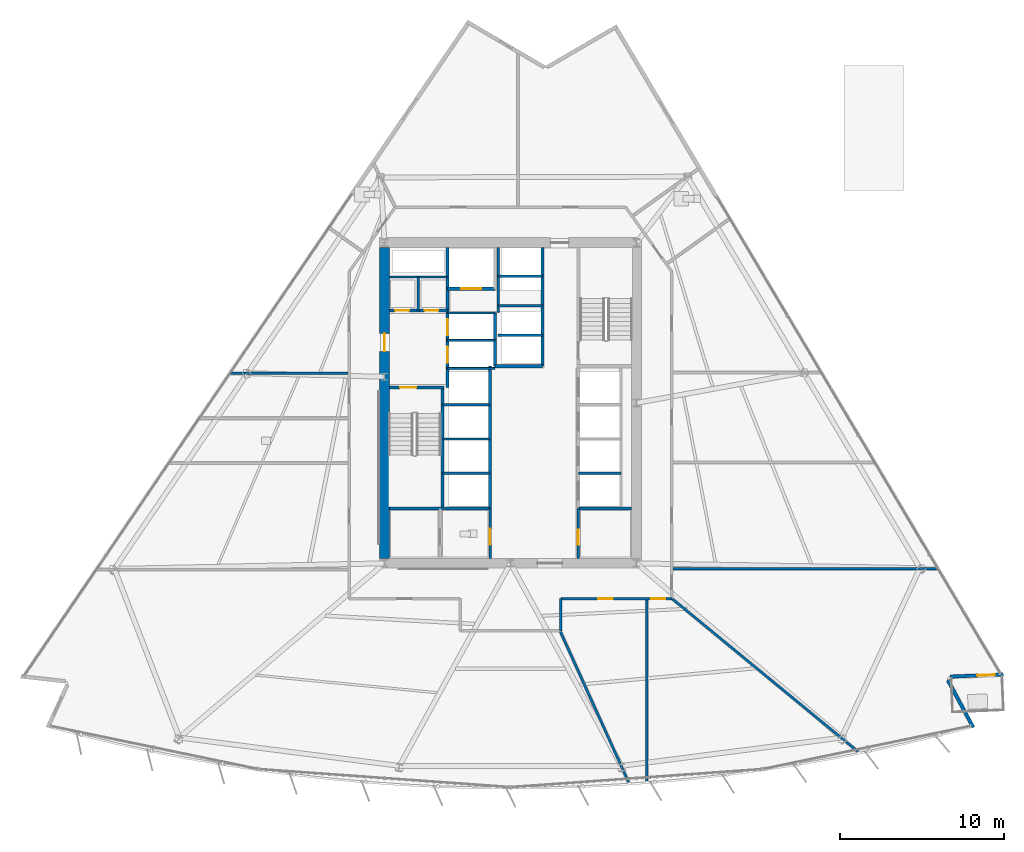
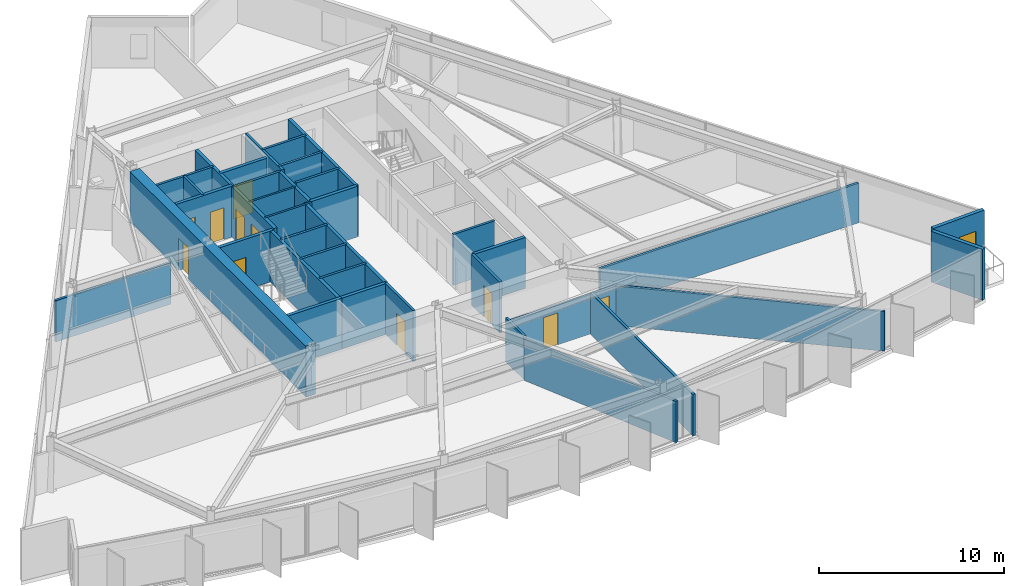
# One storey, part 9 of 16: 37 walls, 12 doors, 12 openings.
"""IFC4 building model written with IfcOpenShell, lengths in metres."""

from ifc_helpers import new_model, si_unit, direction, frame, frame_2d, origin, place, context, subcontext, project, spatial, rectangle, extrude, material, layer, layer_set, type_object, element, fill, save


model = new_model("IFC4")

# Units and contexts
model_context = context("Model", 3, precision=1e-05, world=origin(), true_north=direction((0.0, 1.0)))
body_context = subcontext(model_context, "Body", "Model", "MODEL_VIEW")
ifc_project = project(units=[si_unit("LENGTHUNIT", "METRE"), si_unit("AREAUNIT", "SQUARE_METRE"), si_unit("VOLUMEUNIT", "CUBIC_METRE"), si_unit("PLANEANGLEUNIT", "RADIAN"), si_unit("MASSUNIT", "GRAM", prefix="KILO")], contexts=[model_context])

# Site, building, storey
site_placement = place(None, origin())
site = spatial("IfcSite", under=ifc_project, at=site_placement, CompositionType="ELEMENT")
building_placement = place(site_placement, origin())
building = spatial("IfcBuilding", under=site, at=building_placement, Name="Savorim Split Tower", CompositionType="ELEMENT")
storey_placement = place(building_placement, frame((0.0, 0.0, 30.0)))
storey = spatial("IfcBuildingStorey", under=building, at=storey_placement, Name="L07", CompositionType="ELEMENT", Elevation=30.0)

# Wall, opening, door
ifc_material_1 = material(Name="Concrete C60/75", Category="concrete")
ifc_layer_1 = layer(ifc_material_1, 0.60009765625)
ifc_layer_set_1 = layer_set([ifc_layer_1], Name="WAL-COR-SH600")
wall_type_1 = type_object("IfcWallType", Name="WAL-COR-SH600", PredefinedType="SHEAR", material=ifc_layer_set_1)
wall_1_placement = place(storey_placement, frame((-7.699951171875, -9.10009765625, 0.0), z_axis=(0.0, 0.0, 1.0), x_axis=(0.0, 1.0, 0.0)))
wall_1 = element("IfcWall", 1, at=wall_1_placement, inside=storey, type_object=wall_type_1, Name="L07 Offset Core West Shear Wall", PredefinedType="SHEAR", context=body_context, shape_type="SweptSolid", body=[
    extrude(rectangle(XDim=19.0, YDim=0.60009765625, at=frame_2d((9.5, 0.0))), origin(), (0.0, 0.0, 1.0), 3.35009765625),
])
opening_1_placement = place(wall_1_placement, frame((12.64990234375, 0.0, 0.0)))
opening_1 = element("IfcOpeningElement", 2, at=opening_1_placement, cuts=wall_1, Name="Opening DI-03", PredefinedType="OPENING", context=body_context, shape_type="SweptSolid", body=[
    extrude(rectangle(XDim=1.10009765625, YDim=2.14990234375, at=frame_2d((0.550048828125, 1.074951171875))), frame((0.0, 0.31005859375, 0.0), z_axis=(0.0, -1.0, 0.0), x_axis=(1.0, 0.0, 0.0)), (0.0, 0.0, 1.0), 0.6201171875),
])
ifc_material_2 = material(Name="Timber Fire Door Leaf", Category="wood")
door_type_1 = type_object("IfcDoorType", Name="DOR-FIR-1100", OperationType="NOTDEFINED", PredefinedType="DOOR", material=ifc_material_2)
door_1_placement = place(opening_1_placement, origin())
door_1 = element("IfcDoor", 3, at=door_1_placement, inside=storey, type_object=door_type_1, Name="DOR-L07-COR-FFLOB - L07 Firefighting Lobby Corridor Door", OperationType="SINGLE_SWING_LEFT", OverallHeight=2.14990234375, OverallWidth=1.10009765625, PredefinedType="DOOR", context=body_context, shape_type="SweptSolid", body=[
    extrude(rectangle(XDim=1.10009765625, YDim=2.14990234375, at=frame_2d((0.550048828125, 1.074951171875))), frame((0.0, 0.02490234375, 0.0), z_axis=(0.0, -1.0, 0.0), x_axis=(1.0, 0.0, 0.0)), (0.0, 0.0, 1.0), 0.050048828125),
])
fill(opening_1, door_1)

# Wall
ifc_material_3 = material(Name="Precast concrete C40/50", Category="concrete")
ifc_layer_2 = layer(ifc_material_3, 0.219970703125)
ifc_layer_set_2 = layer_set([ifc_layer_2], Name="WAL-EXT-CRN220")
wall_type_2 = type_object("IfcWallType", Name="WAL-EXT-CRN220", PredefinedType="SOLIDWALL", material=ifc_layer_set_2)
wall_2_placement = place(storey_placement, frame((26.729248046875, -16.5400390625, 0.0), z_axis=(0.0, 0.0, 1.0), x_axis=(0.472830429959, -0.881153439819, 0.0)))
element("IfcWall", 4, at=wall_2_placement, inside=storey, type_object=wall_type_2, Name="L07 Notched Corner Facade Wall SE1", PredefinedType="SOLIDWALL", context=body_context, shape_type="SweptSolid", body=[
    extrude(rectangle(XDim=3.27001953125, YDim=0.219970703125, at=frame_2d((1.635009765625, 0.0))), origin(), (0.0, 0.0, 1.0), 3.35009765625),
])

# Wall, opening, door
wall_3_placement = place(storey_placement, frame((30.114990234375, -16.1875, 0.0), z_axis=(0.0, 0.0, 1.0), x_axis=(-0.999095638069, -0.042519477791, 0.0)))
wall_3 = element("IfcWall", 5, at=wall_3_placement, inside=storey, type_object=wall_type_2, Name="L07 Notched Corner Facade Wall SE", PredefinedType="SOLIDWALL", context=body_context, shape_type="SweptSolid", body=[
    extrude(rectangle(XDim=3.26708984375, YDim=0.219970703125, at=frame_2d((1.633544921875, 0.0))), origin(), (0.0, 0.0, 1.0), 3.35009765625),
])
opening_2_placement = place(wall_3_placement, frame((0.528564453125, 0.0, 0.0)))
opening_2 = element("IfcOpeningElement", 6, at=opening_2_placement, cuts=wall_3, Name="Opening DB-01", PredefinedType="OPENING", context=body_context, shape_type="SweptSolid", body=[
    extrude(rectangle(XDim=1.050048828125, YDim=2.14990234375, at=frame_2d((0.52490234375, 1.074951171875))), frame((0.0, 0.119873046875, 0.0), z_axis=(0.0, -1.0, 0.0), x_axis=(1.0, 0.0, 0.0)), (0.0, 0.0, 1.0), 0.239990234375),
])
ifc_material_4 = material(Name="Charcoal Anodised Aluminium", Category="aluminium")
door_type_2 = type_object("IfcDoorType", Name="DOR-BAL-1050", OperationType="NOTDEFINED", PredefinedType="DOOR", material=ifc_material_4)
door_2_placement = place(opening_2_placement, origin())
door_2 = element("IfcDoor", 7, at=door_2_placement, inside=storey, type_object=door_type_2, Name="DOR-L07-TBAL-SE - L07 Planted Tree Balcony Door SE", OperationType="SINGLE_SWING_RIGHT", OverallHeight=2.14990234375, OverallWidth=1.050048828125, PredefinedType="DOOR", context=body_context, shape_type="SweptSolid", body=[
    extrude(rectangle(XDim=1.050048828125, YDim=2.14990234375, at=frame_2d((0.52490234375, 1.074951171875))), frame((0.0, 0.02490234375, 0.0), z_axis=(0.0, -1.0, 0.0), x_axis=(1.0, 0.0, 0.0)), (0.0, 0.0, 1.0), 0.050048828125),
])
fill(opening_2, door_2)

ifc_material_5 = material(Name="Concrete C50/60", Category="concrete")
ifc_layer_3 = layer(ifc_material_5, 0.199951171875)
ifc_layer_set_3 = layer_set([ifc_layer_3], Name="WAL-INT-RC200")
wall_type_3 = type_object("IfcWallType", Name="WAL-INT-RC200", PredefinedType="SOLIDWALL", material=ifc_layer_set_3)
wall_4_placement = place(storey_placement, frame((-7.39990234375, 1.35009765625, 0.0), z_axis=(0.0, 0.0, 1.0), x_axis=(1.0, 0.0, 0.0)))
wall_4 = element("IfcWall", 8, at=wall_4_placement, inside=storey, type_object=wall_type_3, Name="L07 Structural Shaft Wall W-L07-CR01", PredefinedType="SOLIDWALL", context=body_context, shape_type="SweptSolid", body=[
    extrude(rectangle(XDim=3.349853515625, YDim=0.199951171875, at=frame_2d((1.6748046875, 0.0))), origin(), (0.0, 0.0, 1.0), 3.35009765625),
])
opening_3_placement = place(wall_4_placement, frame((0.64990234375, 0.0, 0.0)))
opening_3 = element("IfcOpeningElement", 9, at=opening_3_placement, cuts=wall_4, Name="Opening DI-04", PredefinedType="OPENING", context=body_context, shape_type="SweptSolid", body=[
    extrude(rectangle(XDim=1.0, YDim=2.14990234375, at=frame_2d((0.5, 1.074951171875))), frame((0.0, 0.10986328125, 0.0), z_axis=(0.0, -1.0, 0.0), x_axis=(1.0, 0.0, 0.0)), (0.0, 0.0, 1.0), 0.219970703125),
])
door_type_3 = type_object("IfcDoorType", Name="DOR-FIR-1000", OperationType="NOTDEFINED", PredefinedType="DOOR", material=ifc_material_2)
door_3_placement = place(opening_3_placement, origin())
door_3 = element("IfcDoor", 10, at=door_3_placement, inside=storey, type_object=door_type_3, Name="DR-L07-ST1 - L07 Stair ST-1 Enclosure Door", OperationType="SINGLE_SWING_LEFT", OverallHeight=2.14990234375, OverallWidth=1.0, PredefinedType="DOOR", context=body_context, shape_type="SweptSolid", body=[
    extrude(rectangle(XDim=1.0, YDim=2.14990234375, at=frame_2d((0.5, 1.074951171875))), frame((0.0, 0.02490234375, 0.0), z_axis=(0.0, -1.0, 0.0), x_axis=(1.0, 0.0, 0.0)), (0.0, 0.0, 1.0), 0.050048828125),
])
fill(opening_3, door_3)

# Wall
wall_5_placement = place(storey_placement, frame((-4.14990234375, -5.949951171875, 0.0), z_axis=(0.0, 0.0, 1.0), x_axis=(0.0, 1.0, 0.0)))
element("IfcWall", 11, at=wall_5_placement, inside=storey, type_object=wall_type_3, Name="L07 Structural Shaft Wall W-L07-CR02", PredefinedType="SOLIDWALL", context=body_context, shape_type="SweptSolid", body=[
    extrude(rectangle(XDim=7.199951171875, YDim=0.199951171875, at=frame_2d((3.60009765625, 0.0))), origin(), (0.0, 0.0, 1.0), 3.35009765625),
])

# Wall, openings, doors
wall_6_placement = place(storey_placement, frame((-3.85009765625, 1.35009765625, 0.0), z_axis=(0.0, 0.0, 1.0), x_axis=(0.0, 1.0, 0.0)))
wall_6 = element("IfcWall", 12, at=wall_6_placement, inside=storey, type_object=wall_type_3, Name="L07 Partition W-L07-CR03", PredefinedType="SOLIDWALL", context=body_context, shape_type="SweptSolid", body=[
    extrude(rectangle(XDim=8.544921875, YDim=0.199951171875, at=frame_2d((4.2724609375, 0.0))), origin(), (0.0, 0.0, 1.0), 3.35009765625),
])
opening_4_placement = place(wall_6_placement, frame((1.5, 0.0, 0.0)))
opening_4 = element("IfcOpeningElement", 13, at=opening_4_placement, cuts=wall_6, Name="Opening LD-FFL", PredefinedType="OPENING", context=body_context, shape_type="SweptSolid", body=[
    extrude(rectangle(XDim=1.0, YDim=2.14990234375, at=frame_2d((0.5, 1.074951171875))), frame((0.0, 0.10986328125, 0.0), z_axis=(0.0, -1.0, 0.0), x_axis=(1.0, 0.0, 0.0)), (0.0, 0.0, 1.0), 0.219970703125),
])
opening_5_placement = place(wall_6_placement, frame((3.179931640625, 0.0, 0.0)))
opening_5 = element("IfcOpeningElement", 14, at=opening_5_placement, cuts=wall_6, Name="Opening LD-FFL", PredefinedType="OPENING", context=body_context, shape_type="SweptSolid", body=[
    extrude(rectangle(XDim=1.0, YDim=2.14990234375, at=frame_2d((0.5, 1.074951171875))), frame((0.0, 0.10986328125, 0.0), z_axis=(0.0, -1.0, 0.0), x_axis=(1.0, 0.0, 0.0)), (0.0, 0.0, 1.0), 0.219970703125),
])
door_type_4 = type_object("IfcDoorType", Name="DOR-SLD-LD1000", OperationType="NOTDEFINED", PredefinedType="DOOR", material=ifc_material_4)
door_4_placement = place(opening_4_placement, origin())
door_4 = element("IfcDoor", 15, at=door_4_placement, inside=storey, type_object=door_type_4, Name="DR-L07-LD-FFL1 - L07 Firefighting Lift FFL-1 Sliding Landing Door", OperationType="DOUBLE_DOOR_SLIDING", OverallHeight=2.14990234375, OverallWidth=1.0, PredefinedType="DOOR", context=body_context, shape_type="SweptSolid", body=[
    extrude(rectangle(XDim=1.0, YDim=2.14990234375, at=frame_2d((0.5, 1.074951171875))), frame((0.0, 0.02490234375, 0.0), z_axis=(0.0, -1.0, 0.0), x_axis=(1.0, 0.0, 0.0)), (0.0, 0.0, 1.0), 0.050048828125),
])
fill(opening_4, door_4)
door_5_placement = place(opening_5_placement, origin())
door_5 = element("IfcDoor", 16, at=door_5_placement, inside=storey, type_object=door_type_4, Name="DR-L07-LD-FFL2 - L07 Firefighting Lift FFL-2 Sliding Landing Door", OperationType="DOUBLE_DOOR_SLIDING", OverallHeight=2.14990234375, OverallWidth=1.0, PredefinedType="DOOR", context=body_context, shape_type="SweptSolid", body=[
    extrude(rectangle(XDim=1.0, YDim=2.14990234375, at=frame_2d((0.5, 1.074951171875))), frame((0.0, 0.02490234375, 0.0), z_axis=(0.0, -1.0, 0.0), x_axis=(1.0, 0.0, 0.0)), (0.0, 0.0, 1.0), 0.050048828125),
])
fill(opening_5, door_5)

wall_7_placement = place(storey_placement, frame((-7.39501953125, 6.050048828125, 0.0), z_axis=(0.0, 0.0, 1.0), x_axis=(1.0, 0.0, 0.0)))
wall_7 = element("IfcWall", 17, at=wall_7_placement, inside=storey, type_object=wall_type_3, Name="L07 Partition W-L07-CR04", PredefinedType="SOLIDWALL", context=body_context, shape_type="SweptSolid", body=[
    extrude(rectangle(XDim=3.544921875, YDim=0.199951171875, at=frame_2d((1.7724609375, 0.0))), origin(), (0.0, 0.0, 1.0), 3.35009765625),
])
opening_6_placement = place(wall_7_placement, frame((0.344970703125, 0.0, 0.0)))
opening_6 = element("IfcOpeningElement", 18, at=opening_6_placement, cuts=wall_7, Name="Opening DI-12", PredefinedType="OPENING", context=body_context, shape_type="SweptSolid", body=[
    extrude(rectangle(XDim=0.85009765625, YDim=2.10009765625, at=frame_2d((0.425048828125, 1.050048828125))), frame((0.0, 0.10986328125, 0.0), z_axis=(0.0, -1.0, 0.0), x_axis=(1.0, 0.0, 0.0)), (0.0, 0.0, 1.0), 0.219970703125),
])
opening_7_placement = place(wall_7_placement, frame((2.14501953125, 0.0, 0.0)))
opening_7 = element("IfcOpeningElement", 19, at=opening_7_placement, cuts=wall_7, Name="Opening DI-12", PredefinedType="OPENING", context=body_context, shape_type="SweptSolid", body=[
    extrude(rectangle(XDim=0.85009765625, YDim=2.10009765625, at=frame_2d((0.425048828125, 1.050048828125))), frame((0.0, 0.10986328125, 0.0), z_axis=(0.0, -1.0, 0.0), x_axis=(1.0, 0.0, 0.0)), (0.0, 0.0, 1.0), 0.219970703125),
])
ifc_material_6 = material(Name="Galvanised Painted Steel Balustrade", Category="steel")
door_type_5 = type_object("IfcDoorType", Name="DOR-RIS-850", OperationType="NOTDEFINED", PredefinedType="DOOR", material=ifc_material_6)
door_6_placement = place(opening_6_placement, origin())
door_6 = element("IfcDoor", 20, at=door_6_placement, inside=storey, type_object=door_type_5, Name="DR-L07-ELR - L07 Electrical Riser Access Door", OperationType="SINGLE_SWING_RIGHT", OverallHeight=2.10009765625, OverallWidth=0.85009765625, PredefinedType="DOOR", context=body_context, shape_type="SweptSolid", body=[
    extrude(rectangle(XDim=0.85009765625, YDim=2.10009765625, at=frame_2d((0.425048828125, 1.050048828125))), frame((0.0, 0.02490234375, 0.0), z_axis=(0.0, -1.0, 0.0), x_axis=(1.0, 0.0, 0.0)), (0.0, 0.0, 1.0), 0.050048828125),
])
fill(opening_6, door_6)
door_7_placement = place(opening_7_placement, origin())
door_7 = element("IfcDoor", 21, at=door_7_placement, inside=storey, type_object=door_type_5, Name="DR-L07-TLR - L07 Telecom Riser Access Door", OperationType="SINGLE_SWING_LEFT", OverallHeight=2.10009765625, OverallWidth=0.85009765625, PredefinedType="DOOR", context=body_context, shape_type="SweptSolid", body=[
    extrude(rectangle(XDim=0.85009765625, YDim=2.10009765625, at=frame_2d((0.425048828125, 1.050048828125))), frame((0.0, 0.02490234375, 0.0), z_axis=(0.0, -1.0, 0.0), x_axis=(1.0, 0.0, 0.0)), (0.0, 0.0, 1.0), 0.050048828125),
])
fill(opening_7, door_7)

# Wall
wall_8_placement = place(storey_placement, frame((-0.949951171875, 2.64990234375, 0.0), z_axis=(0.0, 0.0, 1.0), x_axis=(0.0, 1.0, 0.0)))
element("IfcWall", 22, at=wall_8_placement, inside=storey, type_object=wall_type_3, Name="L07 Partition W-L07-FFLW", PredefinedType="SOLIDWALL", context=body_context, shape_type="SweptSolid", body=[
    extrude(rectangle(XDim=3.27001953125, YDim=0.199951171875, at=frame_2d((1.635009765625, 0.0))), origin(), (0.0, 0.0, 1.0), 3.35009765625),
])

# Wall, opening, door
wall_9_placement = place(storey_placement, frame((-3.85009765625, 7.3798828125, 0.0), z_axis=(0.0, 0.0, 1.0), x_axis=(1.0, 0.0, 0.0)))
wall_9 = element("IfcWall", 23, at=wall_9_placement, inside=storey, type_object=wall_type_3, Name="L07 Partition W-L07-SVLS", PredefinedType="SOLIDWALL", context=body_context, shape_type="SweptSolid", body=[
    extrude(rectangle(XDim=2.900146484375, YDim=0.199951171875, at=frame_2d((1.4501953125, 0.0))), origin(), (0.0, 0.0, 1.0), 3.35009765625),
])
opening_8_placement = place(wall_9_placement, frame((0.85009765625, 0.0, 0.0)))
opening_8 = element("IfcOpeningElement", 24, at=opening_8_placement, cuts=wall_9, Name="Opening LD-SV", PredefinedType="OPENING", context=body_context, shape_type="SweptSolid", body=[
    extrude(rectangle(XDim=1.199951171875, YDim=2.199951171875, at=frame_2d((0.60009765625, 1.10009765625))), frame((0.0, 0.10986328125, 0.0), z_axis=(0.0, -1.0, 0.0), x_axis=(1.0, 0.0, 0.0)), (0.0, 0.0, 1.0), 0.219970703125),
])
door_type_6 = type_object("IfcDoorType", Name="DOR-SLD-SV1200", OperationType="NOTDEFINED", PredefinedType="DOOR", material=ifc_material_4)
door_8_placement = place(opening_8_placement, origin())
door_8 = element("IfcDoor", 25, at=door_8_placement, inside=storey, type_object=door_type_6, Name="DR-L07-LD-SVL1 - L07 Service Lift SVL-1 Sliding Landing Door", OperationType="DOUBLE_DOOR_SLIDING", OverallHeight=2.199951171875, OverallWidth=1.199951171875, PredefinedType="DOOR", context=body_context, shape_type="SweptSolid", body=[
    extrude(rectangle(XDim=1.199951171875, YDim=2.199951171875, at=frame_2d((0.60009765625, 1.10009765625))), frame((0.0, 0.02490234375, 0.0), z_axis=(0.0, -1.0, 0.0), x_axis=(1.0, 0.0, 0.0)), (0.0, 0.0, 1.0), 0.050048828125),
])
fill(opening_8, door_8)

# Walls
wall_10_placement = place(storey_placement, frame((-1.25, -6.050048828125, 0.0), z_axis=(0.0, 0.0, 1.0), x_axis=(0.0, 1.0, 0.0)))
element("IfcWall", 26, at=wall_10_placement, inside=storey, type_object=wall_type_3, Name="L07 Partition W-L07-B2FRONT", PredefinedType="SOLIDWALL", context=body_context, shape_type="SweptSolid", body=[
    extrude(rectangle(XDim=8.699951171875, YDim=0.199951171875, at=frame_2d((4.35009765625, 0.0))), origin(), (0.0, 0.0, 1.0), 3.35009765625),
])
wall_11_placement = place(storey_placement, frame((1.949951171875, 2.64990234375, 0.0), z_axis=(0.0, 0.0, 1.0), x_axis=(0.0, 1.0, 0.0)))
element("IfcWall", 27, at=wall_11_placement, inside=storey, type_object=wall_type_3, Name="L07 Partition W-L07-B3FRONT", PredefinedType="SOLIDWALL", context=body_context, shape_type="SweptSolid", body=[
    extrude(rectangle(XDim=7.2451171875, YDim=0.199951171875, at=frame_2d((3.62255859375, 0.0))), origin(), (0.0, 0.0, 1.0), 3.35009765625),
])
wall_12_placement = place(storey_placement, frame((-0.949951171875, 2.64990234375, 0.0), z_axis=(0.0, 0.0, 1.0), x_axis=(1.0, 0.0, 0.0)))
element("IfcWall", 28, at=wall_12_placement, inside=storey, type_object=wall_type_3, Name="L07 Partition W-L07-B3SOUTH", PredefinedType="SOLIDWALL", context=body_context, shape_type="SweptSolid", body=[
    extrude(rectangle(XDim=2.89990234375, YDim=0.199951171875, at=frame_2d((1.449951171875, 0.0))), origin(), (0.0, 0.0, 1.0), 3.35009765625),
])
wall_13_placement = place(storey_placement, frame((-7.39990234375, -6.050048828125, 0.0), z_axis=(0.0, 0.0, 1.0), x_axis=(1.0, 0.0, 0.0)))
element("IfcWall", 29, at=wall_13_placement, inside=storey, type_object=wall_type_3, Name="L07 Structural Shaft Wall W-L07-KSEP-W", PredefinedType="SOLIDWALL", context=body_context, shape_type="SweptSolid", body=[
    extrude(rectangle(XDim=3.349853515625, YDim=0.199951171875, at=frame_2d((1.6748046875, 0.0))), origin(), (0.0, 0.0, 1.0), 3.35009765625),
])
wall_14_placement = place(storey_placement, frame((-4.0400390625, -6.050048828125, 0.0), z_axis=(0.0, 0.0, 1.0), x_axis=(1.0, 0.0, 0.0)))
element("IfcWall", 30, at=wall_14_placement, inside=storey, type_object=wall_type_3, Name="L07 Partition W-L07-KSEP-W2", PredefinedType="SOLIDWALL", context=body_context, shape_type="SweptSolid", body=[
    extrude(rectangle(XDim=2.7900390625, YDim=0.199951171875, at=frame_2d((1.39501953125, 0.0))), origin(), (0.0, 0.0, 1.0), 3.35009765625),
])
wall_15_placement = place(storey_placement, frame((4.14990234375, -6.050048828125, 0.0), z_axis=(0.0, 0.0, 1.0), x_axis=(1.0, 0.0, 0.0)))
element("IfcWall", 31, at=wall_15_placement, inside=storey, type_object=wall_type_3, Name="L07 Partition W-L07-KSEP-E", PredefinedType="SOLIDWALL", context=body_context, shape_type="SweptSolid", body=[
    extrude(rectangle(XDim=3.2451171875, YDim=0.199951171875, at=frame_2d((1.62255859375, 0.0))), origin(), (0.0, 0.0, 1.0), 3.35009765625),
])
ifc_material_7 = material(Name="Acoustic Gypsum Partition Board")
ifc_layer_4 = layer(ifc_material_7, 0.1201171875)
ifc_layer_set_4 = layer_set([ifc_layer_4], Name="WAL-PAR-120")
wall_type_4 = type_object("IfcWallType", Name="WAL-PAR-120", PredefinedType="PARTITIONING", material=ifc_layer_set_4)
for number, where, z_axis, x_axis, name in (
    (32, (-3.85009765625, 2.52001953125, 0.0), (0.0, 0.0, 1.0), (1.0, 0.0, 0.0), "L07 Partition W-L07-FFLD0"),
    (33, (-3.85009765625, 4.219970703125, 0.0), (0.0, 0.0, 1.0), (1.0, 0.0, 0.0), "L07 Partition W-L07-FFLD1"),
):
    element("IfcWall", number, at=place(storey_placement, frame(where, z_axis=z_axis, x_axis=x_axis)), inside=storey, type_object=wall_type_4, Name=name, PredefinedType="PARTITIONING", context=body_context, shape_type="SweptSolid", body=[
        extrude(rectangle(XDim=2.900146484375, YDim=0.1201171875, at=frame_2d((1.4501953125, 0.0))), origin(), (0.0, 0.0, 1.0), 3.35009765625),
    ])
ifc_layer_5 = layer(ifc_material_7, 0.14990234375)
ifc_layer_set_5 = layer_set([ifc_layer_5], Name="WAL-PAR-150")
wall_type_5 = type_object("IfcWallType", Name="WAL-PAR-150", PredefinedType="PARTITIONING", material=ifc_layer_set_5)
wall_16_placement = place(storey_placement, frame((-7.39501953125, 8.10009765625, 0.0), z_axis=(0.0, 0.0, 1.0), x_axis=(1.0, 0.0, 0.0)))
element("IfcWall", 34, at=wall_16_placement, inside=storey, type_object=wall_type_5, Name="L07 Partition W-L07-CR05", PredefinedType="PARTITIONING", context=body_context, shape_type="SweptSolid", body=[
    extrude(rectangle(XDim=3.544921875, YDim=0.14990234375, at=frame_2d((1.7724609375, 0.0))), origin(), (0.0, 0.0, 1.0), 3.35009765625),
])
wall_17_placement = place(storey_placement, frame((-5.64990234375, 6.050048828125, 0.0), z_axis=(0.0, 0.0, 1.0), x_axis=(0.0, 1.0, 0.0)))
element("IfcWall", 35, at=wall_17_placement, inside=storey, type_object=wall_type_5, Name="L07 Partition W-L07-CR06", PredefinedType="PARTITIONING", context=body_context, shape_type="SweptSolid", body=[
    extrude(rectangle(XDim=2.050048828125, YDim=0.14990234375, at=frame_2d((1.02490234375, 0.0))), origin(), (0.0, 0.0, 1.0), 3.35009765625),
])
wall_18_placement = place(storey_placement, frame((-3.85009765625, 5.89990234375, 0.0), z_axis=(0.0, 0.0, 1.0), x_axis=(1.0, 0.0, 0.0)))
element("IfcWall", 36, at=wall_18_placement, inside=storey, type_object=wall_type_5, Name="L07 Partition W-L07-FFLD2", PredefinedType="PARTITIONING", context=body_context, shape_type="SweptSolid", body=[
    extrude(rectangle(XDim=2.900146484375, YDim=0.14990234375, at=frame_2d((1.4501953125, 0.0))), origin(), (0.0, 0.0, 1.0), 3.35009765625),
])
wall_19_placement = place(storey_placement, frame((4.14990234375, -3.89990234375, 0.0), z_axis=(0.0, 0.0, 1.0), x_axis=(1.0, 0.0, 0.0)))
element("IfcWall", 37, at=wall_19_placement, inside=storey, type_object=wall_type_5, Name="L07 Partition W-L07-B1DIV1", PredefinedType="PARTITIONING", context=body_context, shape_type="SweptSolid", body=[
    extrude(rectangle(XDim=2.60009765625, YDim=0.14990234375, at=frame_2d((1.300048828125, 0.0))), origin(), (0.0, 0.0, 1.0), 3.35009765625),
])
for number, where, z_axis, x_axis, name in (
    (38, (-4.14990234375, -3.89990234375, 0.0), (0.0, 0.0, 1.0), (1.0, 0.0, 0.0), "L07 Partition W-L07-B2DIV1"),
    (39, (-4.14990234375, -1.800048828125, 0.0), (0.0, 0.0, 1.0), (1.0, 0.0, 0.0), "L07 Partition W-L07-B2DIV2"),
    (40, (-4.14990234375, 0.300048828125, 0.0), (0.0, 0.0, 1.0), (1.0, 0.0, 0.0), "L07 Partition W-L07-B2DIV3"),
):
    element("IfcWall", number, at=place(storey_placement, frame(where, z_axis=z_axis, x_axis=x_axis)), inside=storey, type_object=wall_type_5, Name=name, PredefinedType="PARTITIONING", context=body_context, shape_type="SweptSolid", body=[
        extrude(rectangle(XDim=2.89990234375, YDim=0.14990234375, at=frame_2d((1.449951171875, 0.0))), origin(), (0.0, 0.0, 1.0), 3.35009765625),
    ])
wall_20_placement = place(storey_placement, frame((-0.75, 5.919921875, 0.0), z_axis=(0.0, 0.0, 1.0), x_axis=(0.0, 1.0, 0.0)))
element("IfcWall", 41, at=wall_20_placement, inside=storey, type_object=wall_type_5, Name="L07 Partition W-L07-B3WEST", PredefinedType="PARTITIONING", context=body_context, shape_type="SweptSolid", body=[
    extrude(rectangle(XDim=3.97509765625, YDim=0.14990234375, at=frame_2d((1.987548828125, 0.0))), origin(), (0.0, 0.0, 1.0), 3.35009765625),
])
for number, where, z_axis, x_axis, name in (
    (42, (-0.75, 4.550048828125, 0.0), (0.0, 0.0, 1.0), (1.0, 0.0, 0.0), "L07 Partition W-L07-B3DIV1"),
    (43, (-0.75, 6.35009765625, 0.0), (0.0, 0.0, 1.0), (1.0, 0.0, 0.0), "L07 Partition W-L07-B3DIV2"),
    (44, (-0.75, 8.14990234375, 0.0), (0.0, 0.0, 1.0), (1.0, 0.0, 0.0), "L07 Partition W-L07-B3DIV3"),
):
    element("IfcWall", number, at=place(storey_placement, frame(where, z_axis=z_axis, x_axis=x_axis)), inside=storey, type_object=wall_type_5, Name=name, PredefinedType="PARTITIONING", context=body_context, shape_type="SweptSolid", body=[
        extrude(rectangle(XDim=2.699951171875, YDim=0.14990234375, at=frame_2d((1.35009765625, 0.0))), origin(), (0.0, 0.0, 1.0), 3.35009765625),
    ])

# Wall, opening, door
wall_21_placement = place(storey_placement, frame((-1.25, -9.094970703125, 0.0), z_axis=(0.0, 0.0, 1.0), x_axis=(0.0, 1.0, 0.0)))
wall_21 = element("IfcWall", 45, at=wall_21_placement, inside=storey, type_object=wall_type_5, Name="L07 Partition W-L07-KLOB-W", PredefinedType="PARTITIONING", context=body_context, shape_type="SweptSolid", body=[
    extrude(rectangle(XDim=3.044921875, YDim=0.14990234375, at=frame_2d((1.5224609375, 0.0))), origin(), (0.0, 0.0, 1.0), 3.35009765625),
])
opening_9_placement = place(wall_21_placement, frame((0.844970703125, 0.0, 0.0)))
opening_9 = element("IfcOpeningElement", 46, at=opening_9_placement, cuts=wall_21, Name="Opening DI-10", PredefinedType="OPENING", context=body_context, shape_type="SweptSolid", body=[
    extrude(rectangle(XDim=0.949951171875, YDim=2.10009765625, at=frame_2d((0.47509765625, 1.050048828125))), frame((0.0, 0.0849609375, 0.0), z_axis=(0.0, -1.0, 0.0), x_axis=(1.0, 0.0, 0.0)), (0.0, 0.0, 1.0), 0.169921875),
])
ifc_material_8 = material(Name="Oak Veneer Acoustic Door")
door_type_7 = type_object("IfcDoorType", Name="DOR-WC-950", OperationType="NOTDEFINED", PredefinedType="DOOR", material=ifc_material_8)
door_9_placement = place(opening_9_placement, origin())
door_9 = element("IfcDoor", 47, at=door_9_placement, inside=storey, type_object=door_type_7, Name="DR-L07-K1WC - L07 Core Accessible WC Door", OperationType="SINGLE_SWING_LEFT", OverallHeight=2.10009765625, OverallWidth=0.949951171875, PredefinedType="DOOR", context=body_context, shape_type="SweptSolid", body=[
    extrude(rectangle(XDim=0.949951171875, YDim=2.10009765625, at=frame_2d((0.47509765625, 1.050048828125))), frame((0.0, 0.02490234375, 0.0), z_axis=(0.0, -1.0, 0.0), x_axis=(1.0, 0.0, 0.0)), (0.0, 0.0, 1.0), 0.050048828125),
])
fill(opening_9, door_9)

wall_22_placement = place(storey_placement, frame((4.14990234375, -9.094970703125, 0.0), z_axis=(0.0, 0.0, 1.0), x_axis=(0.0, 1.0, 0.0)))
wall_22 = element("IfcWall", 48, at=wall_22_placement, inside=storey, type_object=wall_type_5, Name="L07 Partition W-L07-KLOB-E", PredefinedType="PARTITIONING", context=body_context, shape_type="SweptSolid", body=[
    extrude(rectangle(XDim=3.044921875, YDim=0.14990234375, at=frame_2d((1.5224609375, 0.0))), origin(), (0.0, 0.0, 1.0), 3.35009765625),
])
opening_10_placement = place(wall_22_placement, frame((0.844970703125, 0.0, 0.0)))
opening_10 = element("IfcOpeningElement", 49, at=opening_10_placement, cuts=wall_22, Name="Opening DI-06", PredefinedType="OPENING", context=body_context, shape_type="SweptSolid", body=[
    extrude(rectangle(XDim=0.89990234375, YDim=2.10009765625, at=frame_2d((0.449951171875, 1.050048828125))), frame((0.0, 0.0849609375, 0.0), z_axis=(0.0, -1.0, 0.0), x_axis=(1.0, 0.0, 0.0)), (0.0, 0.0, 1.0), 0.169921875),
])
door_type_8 = type_object("IfcDoorType", Name="DOR-FIR-900", OperationType="NOTDEFINED", PredefinedType="DOOR", material=ifc_material_2)
door_10_placement = place(opening_10_placement, origin())
door_10 = element("IfcDoor", 50, at=door_10_placement, inside=storey, type_object=door_type_8, Name="DR-L07-K1IT - L07 Core IT Room Door", OperationType="SINGLE_SWING_LEFT", OverallHeight=2.10009765625, OverallWidth=0.89990234375, PredefinedType="DOOR", context=body_context, shape_type="SweptSolid", body=[
    extrude(rectangle(XDim=0.89990234375, YDim=2.10009765625, at=frame_2d((0.449951171875, 1.050048828125))), frame((0.0, 0.02490234375, 0.0), z_axis=(0.0, -1.0, 0.0), x_axis=(1.0, 0.0, 0.0)), (0.0, 0.0, 1.0), 0.050048828125),
])
fill(opening_10, door_10)

# Wall, openings, doors
wall_23_placement = place(storey_placement, frame((9.860107421875, -11.56005859375, 0.0), z_axis=(0.0, 0.0, 1.0), x_axis=(-1.0, 0.0, 0.0)))
wall_23 = element("IfcWall", 51, at=wall_23_placement, inside=storey, type_object=wall_type_5, Name="L07 Partition W-L07-COR-06", PredefinedType="PARTITIONING", context=body_context, shape_type="SweptSolid", body=[
    extrude(rectangle(XDim=6.780029296875, YDim=0.14990234375, at=frame_2d((3.39013671875, 0.0))), origin(), (0.0, 0.0, 1.0), 2.60888671875),
])
opening_11_placement = place(wall_23_placement, frame((3.611083984375, 0.0, 0.0)))
opening_11 = element("IfcOpeningElement", 52, at=opening_11_placement, cuts=wall_23, Name="Opening DI-06", PredefinedType="OPENING", context=body_context, shape_type="SweptSolid", body=[
    extrude(rectangle(XDim=0.89990234375, YDim=2.10009765625, at=frame_2d((0.449951171875, 1.050048828125))), frame((0.0, 0.0849609375, 0.0), z_axis=(0.0, -1.0, 0.0), x_axis=(1.0, 0.0, 0.0)), (0.0, 0.0, 1.0), 0.169921875),
])
opening_12_placement = place(wall_23_placement, frame((0.3994140625, 0.0, 0.0)))
opening_12 = element("IfcOpeningElement", 53, at=opening_12_placement, cuts=wall_23, Name="Opening DI-13", PredefinedType="OPENING", context=body_context, shape_type="SweptSolid", body=[
    extrude(rectangle(XDim=0.85009765625, YDim=2.10009765625, at=frame_2d((0.425048828125, 1.050048828125))), frame((0.0, 0.0849609375, 0.0), z_axis=(0.0, -1.0, 0.0), x_axis=(1.0, 0.0, 0.0)), (0.0, 0.0, 1.0), 0.169921875),
])
door_type_9 = type_object("IfcDoorType", Name="DOR-FIR-850", OperationType="NOTDEFINED", PredefinedType="DOOR", material=ifc_material_2)
door_11_placement = place(opening_12_placement, origin())
door_11 = element("IfcDoor", 54, at=door_11_placement, inside=storey, type_object=door_type_9, Name="DR-L07-RM05 - L07 Co-Working Commons Entry Door", OperationType="SINGLE_SWING_RIGHT", OverallHeight=2.10009765625, OverallWidth=0.85009765625, PredefinedType="DOOR", context=body_context, shape_type="SweptSolid", body=[
    extrude(rectangle(XDim=0.85009765625, YDim=2.10009765625, at=frame_2d((0.425048828125, 1.050048828125))), frame((0.0, 0.02490234375, 0.0), z_axis=(0.0, -1.0, 0.0), x_axis=(1.0, 0.0, 0.0)), (0.0, 0.0, 1.0), 0.050048828125),
])
fill(opening_12, door_11)
door_12_placement = place(opening_11_placement, origin())
door_12 = element("IfcDoor", 55, at=door_12_placement, inside=storey, type_object=door_type_8, Name="DR-L07-RM04 - L07 Quiet Study Room Entry Door", OperationType="SINGLE_SWING_LEFT", OverallHeight=2.10009765625, OverallWidth=0.89990234375, PredefinedType="DOOR", context=body_context, shape_type="SweptSolid", body=[
    extrude(rectangle(XDim=0.89990234375, YDim=2.10009765625, at=frame_2d((0.449951171875, 1.050048828125))), frame((0.0, 0.02490234375, 0.0), z_axis=(0.0, -1.0, 0.0), x_axis=(1.0, 0.0, 0.0)), (0.0, 0.0, 1.0), 0.050048828125),
])
fill(opening_11, door_12)

# Walls
wall_24_placement = place(storey_placement, frame((3.080078125, -11.56005859375, 0.0), z_axis=(0.0, 0.0, 1.0), x_axis=(0.0, -1.0, 0.0)))
element("IfcWall", 56, at=wall_24_placement, inside=storey, type_object=wall_type_5, Name="L07 Partition W-L07-COR-07", PredefinedType="PARTITIONING", context=body_context, shape_type="SweptSolid", body=[
    extrude(rectangle(XDim=1.969970703125, YDim=0.14990234375, at=frame_2d((0.98486328125, 0.0))), origin(), (0.0, 0.0, 1.0), 2.875),
])
wall_25_placement = place(storey_placement, frame((3.053466796875, -13.5791015625, 0.0), z_axis=(0.0, 0.0, 1.0), x_axis=(0.412464423286, -0.910973709567, 0.0)))
element("IfcWall", 57, at=wall_25_placement, inside=storey, type_object=wall_type_5, Name="L07 Partition W-L07-PRAD03", PredefinedType="PARTITIONING", context=body_context, shape_type="SweptSolid", body=[
    extrude(rectangle(XDim=10.103759765625, YDim=0.14990234375, at=frame_2d((5.0517578125, 0.0))), origin(), (0.0, 0.0, 1.0), 2.72509765625),
])
wall_26_placement = place(storey_placement, frame((9.88818359375, -11.56884765625, 0.0), z_axis=(0.0, 0.0, 1.0), x_axis=(0.772282318766, -0.635279481898, 0.0)))
element("IfcWall", 58, at=wall_26_placement, inside=storey, type_object=wall_type_5, Name="L07 Partition W-L07-PRAD04", PredefinedType="PARTITIONING", context=body_context, shape_type="SweptSolid", body=[
    extrude(rectangle(XDim=14.70703125, YDim=0.14990234375, at=frame_2d((7.353515625, 0.0))), origin(), (0.0, 0.0, 1.0), 2.60888671875),
])
wall_27_placement = place(storey_placement, frame((9.919921875, -9.72900390625, 0.0), z_axis=(0.0, 0.0, 1.0), x_axis=(1.0, 0.0, 0.0)))
element("IfcWall", 59, at=wall_27_placement, inside=storey, type_object=wall_type_5, Name="L07 Partition W-L07-PRAD05", PredefinedType="PARTITIONING", context=body_context, shape_type="SweptSolid", body=[
    extrude(rectangle(XDim=16.1318359375, YDim=0.14990234375, at=frame_2d((8.06591796875, 0.0))), origin(), (0.0, 0.0, 1.0), 2.60888671875),
])
wall_28_placement = place(storey_placement, frame((-9.919921875, 2.205078125, 0.0), z_axis=(0.0, 0.0, 1.0), x_axis=(-1.0, 0.0, 0.0)))
element("IfcWall", 60, at=wall_28_placement, inside=storey, type_object=wall_type_5, Name="L07 Partition W-L07-PRAD09", PredefinedType="PARTITIONING", context=body_context, shape_type="SweptSolid", body=[
    extrude(rectangle(XDim=7.177001953125, YDim=0.14990234375, at=frame_2d((3.58837890625, 0.0))), origin(), (0.0, 0.0, 1.0), 2.72509765625),
])
wall_29_placement = place(storey_placement, frame((8.33935546875, -11.6201171875, 0.0), z_axis=(0.0, 0.0, 1.0), x_axis=(0.0, -1.0, 0.0)))
element("IfcWall", 61, at=wall_29_placement, inside=storey, type_object=wall_type_5, Name="L07 Partition W-L07-SUB02", PredefinedType="PARTITIONING", context=body_context, shape_type="SweptSolid", body=[
    extrude(rectangle(XDim=11.083251953125, YDim=0.14990234375, at=frame_2d((5.54150390625, 0.0))), origin(), (0.0, 0.0, 1.0), 2.735107421875),
])

save(model, "model.ifc")
